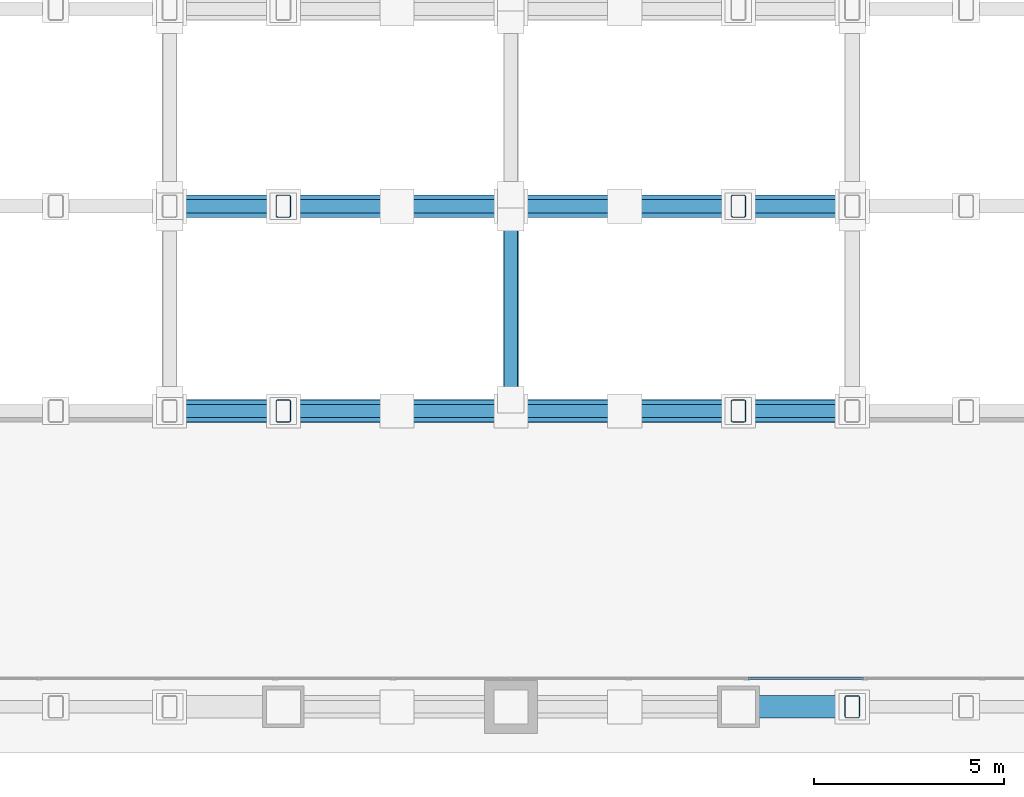
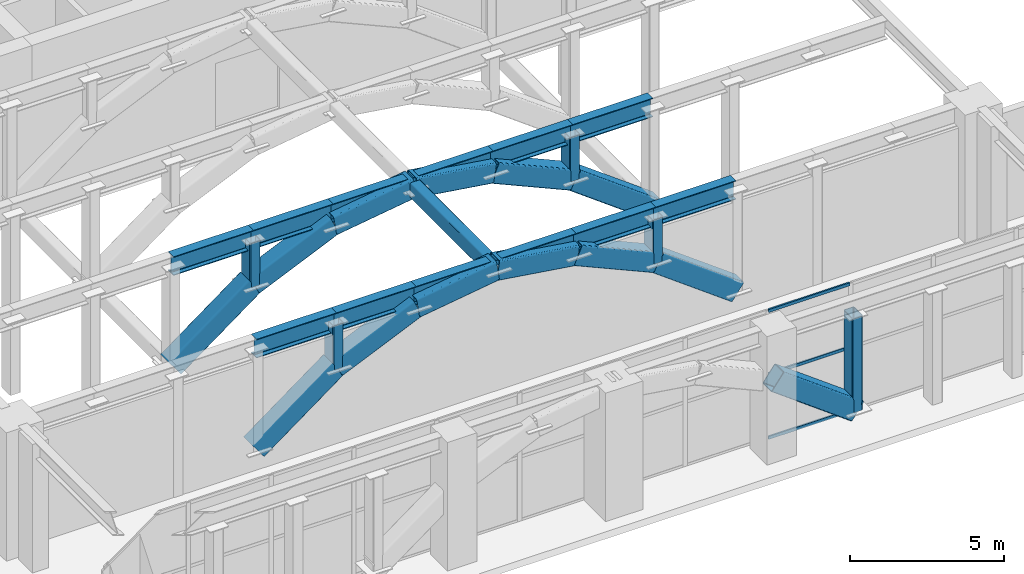
# One storey, part 8 of 32: 22 members, 12 beams, 1 element without a shape of its own.
"""IFC4 building model written with IfcOpenShell, lengths in metres."""

from ifc_helpers import new_model, si_unit, direction, frame, origin, origin_2d, place, context, subcontext, project, spatial, hollow_rectangle, i_section, extrude, material, layer, layer_set, material_profile, profile_set, type_object, element, aggregate, save


model = new_model("IFC4")

# Units and contexts
model_context = context("Model", 3, precision=1e-05, world=origin(), true_north=direction((0.0, 1.0)))
body_context = subcontext(model_context, "Body", "Model", "MODEL_VIEW")
ifc_project = project(units=[si_unit("LENGTHUNIT", "METRE"), si_unit("AREAUNIT", "SQUARE_METRE"), si_unit("VOLUMEUNIT", "CUBIC_METRE"), si_unit("PLANEANGLEUNIT", "RADIAN"), si_unit("MASSUNIT", "GRAM", prefix="KILO")], contexts=[model_context])

# Site, building, storey
site_placement = place(None, origin())
site = spatial("IfcSite", under=ifc_project, at=site_placement, CompositionType="ELEMENT")
building_placement = place(site_placement, origin())
building = spatial("IfcBuilding", under=site, at=building_placement, Name="Sarneth Arch Tower", CompositionType="ELEMENT")
storey_placement = place(building_placement, frame((0.0, 0.0, 11.39990234375)))
storey = spatial("IfcBuildingStorey", under=building, at=storey_placement, Name="L02", CompositionType="ELEMENT", Elevation=11.39990234375)

# Beams
ifc_material_1 = material(Name="Steel S355", Category="steel")
ifc_material_profile_1 = material_profile(ifc_material_1, i_section(OverallWidth=0.35009765625, OverallDepth=0.75, WebThickness=0.01611328125, FlangeThickness=0.028076171875, FilletRadius=0.01806640625, at=origin_2d()), Name="CVS750x268")
ifc_profile_set_1 = profile_set([ifc_material_profile_1], Name="Steel S355")
beam_type = type_object("IfcBeamType", Name="BM-POD-750", PredefinedType="BEAM", material=ifc_profile_set_1)
for number, where, z_axis, x_axis, name in (
    (1, (39.0, 17.0, 4.72509765625), (1.0, 0.0, 0.0), (0.0, 1.0, 0.0), "Podium arch top tie girder 2.4"),
    (2, (42.0, 17.0, 4.72509765625), (1.0, 0.0, 0.0), (0.0, 1.0, 0.0), "Podium arch top tie girder 2.5"),
    (3, (45.0, 17.0, 4.72509765625), (1.0, 0.0, 0.0), (0.0, 1.0, 0.0), "Podium arch top tie girder 2.6"),
    (4, (48.0, 17.0, 4.72509765625), (1.0, 0.0, 0.0), (0.0, 1.0, 0.0), "Podium arch top tie girder 2.7"),
    (5, (51.0, 17.0, 4.72509765625), (1.0, 0.0, 0.0), (0.0, 1.0, 0.0), "Podium arch top tie girder 2.8"),
    (6, (54.0, 17.0, 4.72509765625), (1.0, 0.0, 0.0), (0.0, 1.0, 0.0), "Podium arch top tie girder 2.9"),
    (7, (39.0, 22.39990234375, 4.72509765625), (1.0, 0.0, 0.0), (0.0, 1.0, 0.0), "Podium arch top tie girder 3.4"),
    (8, (42.0, 22.39990234375, 4.72509765625), (1.0, 0.0, 0.0), (0.0, 1.0, 0.0), "Podium arch top tie girder 3.5"),
    (9, (45.0, 22.39990234375, 4.72509765625), (1.0, 0.0, 0.0), (0.0, 1.0, 0.0), "Podium arch top tie girder 3.6"),
    (10, (48.0, 22.39990234375, 4.72509765625), (1.0, 0.0, 0.0), (0.0, 1.0, 0.0), "Podium arch top tie girder 3.7"),
    (11, (51.0, 22.39990234375, 4.72509765625), (1.0, 0.0, 0.0), (0.0, 1.0, 0.0), "Podium arch top tie girder 3.8"),
    (12, (54.0, 22.39990234375, 4.72509765625), (1.0, 0.0, 0.0), (0.0, 1.0, 0.0), "Podium arch top tie girder 3.9"),
):
    element("IfcBeam", number, at=place(storey_placement, frame(where, z_axis=z_axis, x_axis=x_axis)), inside=storey, type_object=beam_type, Name=name, PredefinedType="BEAM", context=body_context, shape_type="SweptSolid", body=[
        extrude(i_section(OverallWidth=0.35009765625, OverallDepth=0.75, WebThickness=0.01611328125, FlangeThickness=0.028076171875, FilletRadius=0.01806640625, at=origin_2d()), origin(), (0.0, 0.0, 1.0), 3.0),
    ])

# Curtain wall, members
ifc_material_2 = material(Name="Anodised aluminium Type AA25 and solar-control low-e laminated IGU", Category="aluminium")
ifc_layer = layer(ifc_material_2, 0.199951171875)
ifc_layer_set = layer_set([ifc_layer], Name="Anodised aluminium Type AA25 and solar-control low-e laminated IGU")
curtain_wall_type = type_object("IfcCurtainWallType", Name="CW-ARCH-GLAZE", PredefinedType="NOTDEFINED", material=ifc_layer_set)
curtain_wall_placement = place(storey_placement, origin())
curtain_wall = element("IfcCurtainWall", 13, at=curtain_wall_placement, inside=storey, type_object=curtain_wall_type, Name="L02 South parabolic arch portal curtain wall", PredefinedType="NOTDEFINED")
ifc_material_3 = material(Name="Anodised Aluminium 6063-T6", Category="aluminium")
ifc_material_profile_2 = material_profile(ifc_material_3, hollow_rectangle(XDim=0.06005859375, YDim=0.1201171875, WallThickness=0.00390625, at=origin_2d()), Name="AL-TRAN-120x60x4")
ifc_profile_set_2 = profile_set([ifc_material_profile_2], Name="Anodised Aluminium 6063-T6")
member_type_1 = type_object("IfcMemberType", Name="CW-TRANSOM", PredefinedType="USERDEFINED", material=ifc_profile_set_2)
member_1_placement = place(storey_placement, frame((54.24658203125, 9.949951171875, 0.030029296875), z_axis=(1.0, 0.0, 0.0), x_axis=(0.0, 1.0, 0.0)))
member_1 = element("IfcMember", 14, at=member_1_placement, type_object=member_type_1, Name="CW-SYS-2 transom 9.1", ObjectType="TRANSOM", PredefinedType="USERDEFINED", context=body_context, shape_type="SweptSolid", body=[
    extrude(hollow_rectangle(XDim=0.06005859375, YDim=0.1201171875, WallThickness=0.00390625, at=origin_2d()), origin(), (0.0, 0.0, 1.0), 3.04833984375),
])
member_2_placement = place(storey_placement, frame((54.24658203125, 9.949951171875, 2.550048828125), z_axis=(1.0, 0.0, 0.0), x_axis=(0.0, 1.0, 0.0)))
member_2 = element("IfcMember", 15, at=member_2_placement, type_object=member_type_1, Name="CW-SYS-2 transom 9.2", ObjectType="TRANSOM", PredefinedType="USERDEFINED", context=body_context, shape_type="SweptSolid", body=[
    extrude(hollow_rectangle(XDim=0.06005859375, YDim=0.1201171875, WallThickness=0.00390625, at=origin_2d()), origin(), (0.0, 0.0, 1.0), 3.04833984375),
])
member_3_placement = place(storey_placement, frame((54.24658203125, 9.949951171875, 5.070068359375), z_axis=(1.0, 0.0, 0.0), x_axis=(0.0, 1.0, 0.0)))
member_3 = element("IfcMember", 16, at=member_3_placement, type_object=member_type_1, Name="CW-SYS-2 transom 9.3", ObjectType="TRANSOM", PredefinedType="USERDEFINED", context=body_context, shape_type="SweptSolid", body=[
    extrude(hollow_rectangle(XDim=0.06005859375, YDim=0.1201171875, WallThickness=0.00390625, at=origin_2d()), origin(), (0.0, 0.0, 1.0), 3.04833984375),
])
aggregate(curtain_wall, [member_1, member_2, member_3])

# Members
ifc_material_4 = material(Name="Steel S355", Category="steel")
ifc_material_profile_3 = material_profile(ifc_material_4, hollow_rectangle(XDim=0.60009765625, YDim=0.800048828125, WallThickness=0.028076171875, InnerFilletRadius=0.0419921875, OuterFilletRadius=0.070068359375, at=origin_2d()), Name="RHS800x600x28")
ifc_profile_set_3 = profile_set([ifc_material_profile_3], Name="Steel S355")
member_type_2 = type_object("IfcMemberType", Name="MEM-ARCH-CHORD", PredefinedType="CHORD", material=ifc_profile_set_3)
for number, where, z_axis, x_axis, name in (
    (17, (54.0, 9.199951171875, 2.9501953125), (0.804002053977, 0.0, -0.594626519087), (0.0, 1.0, 0.0), "Podium parabolic arch rib 1 segment 9"),
    (18, (39.0, 17.0, 0.7314453125), (0.804002053977, 0.0, 0.594626519087), (0.0, 1.0, 0.0), "Podium parabolic arch rib 2 segment 4"),
):
    element("IfcMember", number, at=place(storey_placement, frame(where, z_axis=z_axis, x_axis=x_axis)), inside=storey, type_object=member_type_2, Name=name, PredefinedType="CHORD", context=body_context, shape_type="SweptSolid", body=[
        extrude(hollow_rectangle(XDim=0.60009765625, YDim=0.800048828125, WallThickness=0.028076171875, InnerFilletRadius=0.0419921875, OuterFilletRadius=0.070068359375, at=origin_2d()), origin(), (0.0, 0.0, 1.0), 3.7314453125),
    ])
member_4_placement = place(storey_placement, frame((42.0, 17.0, 2.9501953125), z_axis=(0.914069035587, 0.0, 0.405558624839), x_axis=(0.0, 1.0, 0.0)))
element("IfcMember", 19, at=member_4_placement, inside=storey, type_object=member_type_2, Name="Podium parabolic arch rib 2 segment 5", PredefinedType="CHORD", context=body_context, shape_type="SweptSolid", body=[
    extrude(hollow_rectangle(XDim=0.60009765625, YDim=0.800048828125, WallThickness=0.028076171875, InnerFilletRadius=0.0419921875, OuterFilletRadius=0.070068359375, at=origin_2d()), origin(), (0.0, 0.0, 1.0), 3.281982421875),
])
for number, where, z_axis, x_axis, name in (
    (20, (45.0, 17.0, 4.28125), (0.98923197117, 0.0, 0.146356097297), (0.0, 1.0, 0.0), "Podium parabolic arch rib 2 segment 6"),
    (21, (48.0, 17.0, 4.72509765625), (0.98923197117, 0.0, -0.146356097297), (0.0, 1.0, 0.0), "Podium parabolic arch rib 2 segment 7"),
):
    element("IfcMember", number, at=place(storey_placement, frame(where, z_axis=z_axis, x_axis=x_axis)), inside=storey, type_object=member_type_2, Name=name, PredefinedType="CHORD", context=body_context, shape_type="SweptSolid", body=[
        extrude(hollow_rectangle(XDim=0.60009765625, YDim=0.800048828125, WallThickness=0.028076171875, InnerFilletRadius=0.0419921875, OuterFilletRadius=0.070068359375, at=origin_2d()), origin(), (0.0, 0.0, 1.0), 3.03271484375),
    ])
member_5_placement = place(storey_placement, frame((51.0, 17.0, 4.28125), z_axis=(0.914069035587, 0.0, -0.405558624839), x_axis=(0.0, 1.0, 0.0)))
element("IfcMember", 22, at=member_5_placement, inside=storey, type_object=member_type_2, Name="Podium parabolic arch rib 2 segment 8", PredefinedType="CHORD", context=body_context, shape_type="SweptSolid", body=[
    extrude(hollow_rectangle(XDim=0.60009765625, YDim=0.800048828125, WallThickness=0.028076171875, InnerFilletRadius=0.0419921875, OuterFilletRadius=0.070068359375, at=origin_2d()), origin(), (0.0, 0.0, 1.0), 3.281982421875),
])
for number, where, z_axis, x_axis, name in (
    (23, (54.0, 17.0, 2.9501953125), (0.804002053977, 0.0, -0.594626519087), (0.0, 1.0, 0.0), "Podium parabolic arch rib 2 segment 9"),
    (24, (39.0, 22.39990234375, 0.7314453125), (0.804002053977, 0.0, 0.594626519087), (0.0, 1.0, 0.0), "Podium parabolic arch rib 3 segment 4"),
):
    element("IfcMember", number, at=place(storey_placement, frame(where, z_axis=z_axis, x_axis=x_axis)), inside=storey, type_object=member_type_2, Name=name, PredefinedType="CHORD", context=body_context, shape_type="SweptSolid", body=[
        extrude(hollow_rectangle(XDim=0.60009765625, YDim=0.800048828125, WallThickness=0.028076171875, InnerFilletRadius=0.0419921875, OuterFilletRadius=0.070068359375, at=origin_2d()), origin(), (0.0, 0.0, 1.0), 3.7314453125),
    ])
member_6_placement = place(storey_placement, frame((42.0, 22.39990234375, 2.9501953125), z_axis=(0.914069035587, 0.0, 0.405558624839), x_axis=(0.0, 1.0, 0.0)))
element("IfcMember", 25, at=member_6_placement, inside=storey, type_object=member_type_2, Name="Podium parabolic arch rib 3 segment 5", PredefinedType="CHORD", context=body_context, shape_type="SweptSolid", body=[
    extrude(hollow_rectangle(XDim=0.60009765625, YDim=0.800048828125, WallThickness=0.028076171875, InnerFilletRadius=0.0419921875, OuterFilletRadius=0.070068359375, at=origin_2d()), origin(), (0.0, 0.0, 1.0), 3.281982421875),
])
for number, where, z_axis, x_axis, name in (
    (26, (45.0, 22.39990234375, 4.28125), (0.98923197117, 0.0, 0.146356097297), (0.0, 1.0, 0.0), "Podium parabolic arch rib 3 segment 6"),
    (27, (48.0, 22.39990234375, 4.72509765625), (0.98923197117, 0.0, -0.146356097297), (0.0, 1.0, 0.0), "Podium parabolic arch rib 3 segment 7"),
):
    element("IfcMember", number, at=place(storey_placement, frame(where, z_axis=z_axis, x_axis=x_axis)), inside=storey, type_object=member_type_2, Name=name, PredefinedType="CHORD", context=body_context, shape_type="SweptSolid", body=[
        extrude(hollow_rectangle(XDim=0.60009765625, YDim=0.800048828125, WallThickness=0.028076171875, InnerFilletRadius=0.0419921875, OuterFilletRadius=0.070068359375, at=origin_2d()), origin(), (0.0, 0.0, 1.0), 3.03271484375),
    ])
member_7_placement = place(storey_placement, frame((51.0, 22.39990234375, 4.28125), z_axis=(0.914069035587, 0.0, -0.405558624839), x_axis=(0.0, 1.0, 0.0)))
element("IfcMember", 28, at=member_7_placement, inside=storey, type_object=member_type_2, Name="Podium parabolic arch rib 3 segment 8", PredefinedType="CHORD", context=body_context, shape_type="SweptSolid", body=[
    extrude(hollow_rectangle(XDim=0.60009765625, YDim=0.800048828125, WallThickness=0.028076171875, InnerFilletRadius=0.0419921875, OuterFilletRadius=0.070068359375, at=origin_2d()), origin(), (0.0, 0.0, 1.0), 3.281982421875),
])
member_8_placement = place(storey_placement, frame((54.0, 22.39990234375, 2.9501953125), z_axis=(0.804002053977, 0.0, -0.594626519087), x_axis=(0.0, 1.0, 0.0)))
element("IfcMember", 29, at=member_8_placement, inside=storey, type_object=member_type_2, Name="Podium parabolic arch rib 3 segment 9", PredefinedType="CHORD", context=body_context, shape_type="SweptSolid", body=[
    extrude(hollow_rectangle(XDim=0.60009765625, YDim=0.800048828125, WallThickness=0.028076171875, InnerFilletRadius=0.0419921875, OuterFilletRadius=0.070068359375, at=origin_2d()), origin(), (0.0, 0.0, 1.0), 3.7314453125),
])
ifc_material_5 = material(Name="Steel S355", Category="steel")
ifc_material_profile_4 = material_profile(ifc_material_5, hollow_rectangle(XDim=0.39990234375, YDim=0.60009765625, WallThickness=0.02197265625, InnerFilletRadius=0.032958984375, OuterFilletRadius=0.054931640625, at=origin_2d()), Name="RHS600x400x22")
ifc_profile_set_4 = profile_set([ifc_material_profile_4], Name="Steel S355")
member_type_3 = type_object("IfcMemberType", Name="MEM-ARCH-WEB", PredefinedType="BRACE", material=ifc_profile_set_4)
member_9_placement = place(storey_placement, frame((57.0, 9.199951171875, 0.7314453125), z_axis=(0.0, 0.0, 1.0), x_axis=(1.0, 0.0, 0.0)))
element("IfcMember", 30, at=member_9_placement, inside=storey, type_object=member_type_3, Name="Podium arch spandrel post 1.9", PredefinedType="BRACE", context=body_context, shape_type="SweptSolid", body=[
    extrude(hollow_rectangle(XDim=0.39990234375, YDim=0.60009765625, WallThickness=0.02197265625, InnerFilletRadius=0.032958984375, OuterFilletRadius=0.054931640625, at=origin_2d()), origin(), (0.0, 0.0, 1.0), 3.74853515625),
])
for number, where, z_axis, x_axis, name in (
    (31, (42.0, 17.0, 2.9501953125), (0.0, 0.0, 1.0), (1.0, 0.0, 0.0), "Podium arch spandrel post 2.4"),
    (32, (54.0, 17.0, 2.9501953125), (0.0, 0.0, 1.0), (1.0, 0.0, 0.0), "Podium arch spandrel post 2.8"),
    (33, (42.0, 22.39990234375, 2.9501953125), (0.0, 0.0, 1.0), (1.0, 0.0, 0.0), "Podium arch spandrel post 3.4"),
    (34, (54.0, 22.39990234375, 2.9501953125), (0.0, 0.0, 1.0), (1.0, 0.0, 0.0), "Podium arch spandrel post 3.8"),
):
    element("IfcMember", number, at=place(storey_placement, frame(where, z_axis=z_axis, x_axis=x_axis)), inside=storey, type_object=member_type_3, Name=name, PredefinedType="BRACE", context=body_context, shape_type="SweptSolid", body=[
        extrude(hollow_rectangle(XDim=0.39990234375, YDim=0.60009765625, WallThickness=0.02197265625, InnerFilletRadius=0.032958984375, OuterFilletRadius=0.054931640625, at=origin_2d()), origin(), (0.0, 0.0, 1.0), 1.77490234375),
    ])
member_10_placement = place(storey_placement, frame((48.0, 17.300048828125, 4.72509765625), z_axis=(0.0, 1.0, 0.0), x_axis=(-1.0, 0.0, 0.0)))
element("IfcMember", 35, at=member_10_placement, inside=storey, type_object=member_type_3, Name="Podium arch lateral tie 6.17", PredefinedType="BRACE", context=body_context, shape_type="SweptSolid", body=[
    extrude(hollow_rectangle(XDim=0.39990234375, YDim=0.60009765625, WallThickness=0.02197265625, InnerFilletRadius=0.032958984375, OuterFilletRadius=0.054931640625, at=origin_2d()), origin(), (0.0, 0.0, 1.0), 4.800048828125),
])

save(model, "model.ifc")
